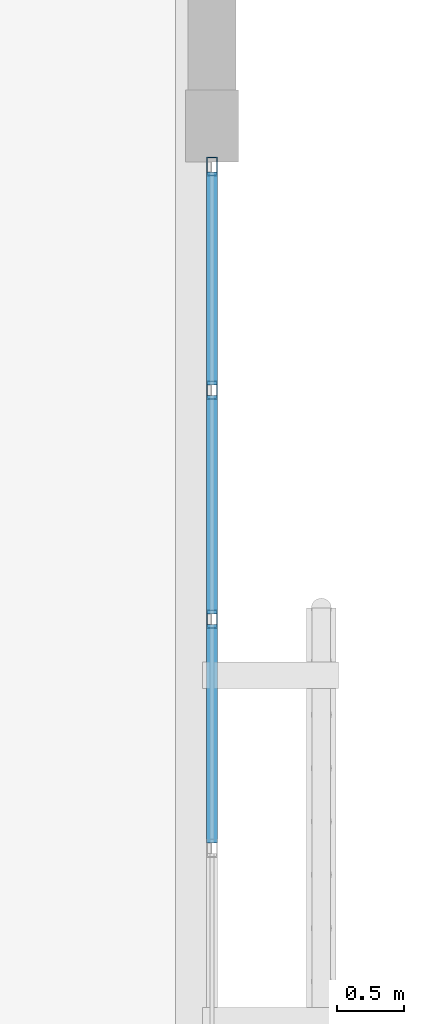
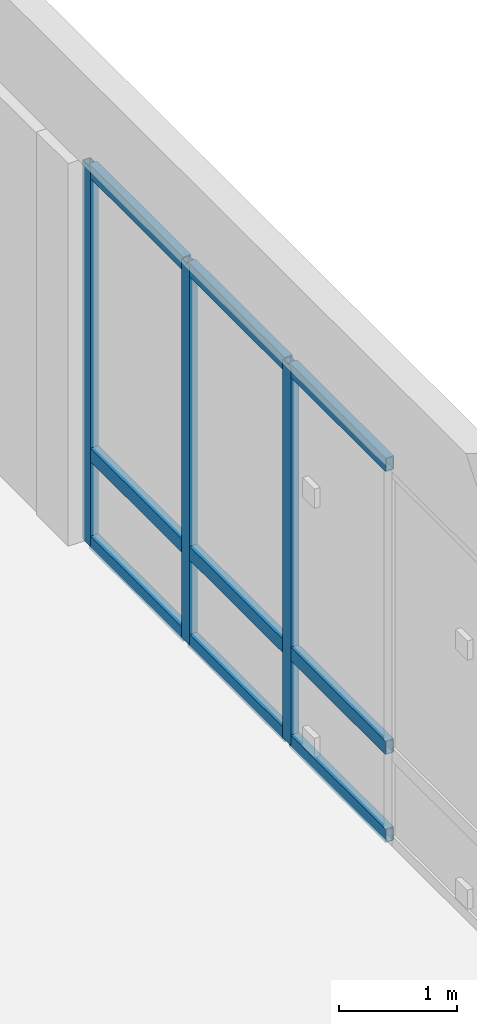
# One storey, part 49 of 112: 12 members, 1 element without a shape of its own.
"""IFC4 building model written with IfcOpenShell, lengths in metres."""

from ifc_helpers import new_model, si_unit, direction, frame, origin, origin_2d, place, context, subcontext, project, spatial, hollow_rectangle, extrude, material, layer, layer_set, material_profile, profile_set, type_object, element, aggregate, save


model = new_model("IFC4")

# Units and contexts
model_context = context("Model", 3, precision=1e-05, world=origin(), true_north=direction((0.0, 1.0)))
body_context = subcontext(model_context, "Body", "Model", "MODEL_VIEW")
ifc_project = project(units=[si_unit("LENGTHUNIT", "METRE"), si_unit("AREAUNIT", "SQUARE_METRE"), si_unit("VOLUMEUNIT", "CUBIC_METRE"), si_unit("PLANEANGLEUNIT", "RADIAN"), si_unit("MASSUNIT", "GRAM", prefix="KILO")], contexts=[model_context])

# Site, building, storey
site_placement = place(None, origin())
site = spatial("IfcSite", under=ifc_project, at=site_placement, CompositionType="ELEMENT")
building_placement = place(site_placement, origin())
building = spatial("IfcBuilding", under=site, at=building_placement, Name="Mazaris Harbour Polytechnic", CompositionType="ELEMENT")
storey_placement = place(building_placement, frame((0.0, 0.0, 13.800048828125)))
storey = spatial("IfcBuildingStorey", under=building, at=storey_placement, Name="L03", CompositionType="ELEMENT", Elevation=13.800048828125)

# Curtain wall, members
ifc_material_1 = material(Name="Anodised Bronze Aluminium and Low-E Glass", Category="aluminium")
ifc_layer = layer(ifc_material_1, 0.159912109375, Name="Anodised Bronze Aluminium and Low-E Glass")
ifc_layer_set = layer_set([ifc_layer], Name="Anodised Bronze Aluminium and Low-E Glass")
curtain_wall_type = type_object("IfcCurtainWallType", Name="Cloister Court Curtain Wall", PredefinedType="NOTDEFINED", material=ifc_layer_set)
curtain_wall_placement = place(storey_placement, origin())
curtain_wall = element("IfcCurtainWall", 1, at=curtain_wall_placement, inside=storey, type_object=curtain_wall_type, Name="V4 L03 Curtain Wall 149", PredefinedType="NOTDEFINED")
ifc_material_2 = material(Name="Anodised Bronze Steel S355", Category="steel")
ifc_material_profile_1 = material_profile(ifc_material_2, hollow_rectangle(XDim=0.080078125, YDim=0.139892578125, WallThickness=0.00634765625, at=origin_2d()), Name="RHS 80x140x6.3")
ifc_profile_set_1 = profile_set([ifc_material_profile_1], Name="Anodised Bronze Steel S355")
member_type_1 = type_object("IfcMemberType", Name="Curtain Mullion RHS80x140", PredefinedType="MULLION", material=ifc_profile_set_1)
member_1_placement = place(storey_placement, frame((43.199951171875, 93.298095703125, 0.0), z_axis=(0.0, 0.0, 1.0), x_axis=(1.0, 0.0, 0.0)))
member_1 = element("IfcMember", 2, at=member_1_placement, type_object=member_type_1, Name="CW-02 mullion 1", PredefinedType="MULLION", context=body_context, shape_type="SweptSolid", body=[
    extrude(hollow_rectangle(XDim=0.080078125, YDim=0.139892578125, WallThickness=0.00634765625, at=origin_2d()), origin(), (0.0, 0.0, 1.0), 3.919921875),
])
member_2_placement = place(storey_placement, frame((43.199951171875, 91.620361328125, 0.0), z_axis=(0.0, 0.0, 1.0), x_axis=(1.0, 0.0, 0.0)))
member_2 = element("IfcMember", 3, at=member_2_placement, type_object=member_type_1, Name="CW-02 mullion 2", PredefinedType="MULLION", context=body_context, shape_type="SweptSolid", body=[
    extrude(hollow_rectangle(XDim=0.080078125, YDim=0.139892578125, WallThickness=0.00634765625, at=origin_2d()), origin(), (0.0, 0.0, 1.0), 3.919921875),
])
member_3_placement = place(storey_placement, frame((43.199951171875, 89.902587890625, 0.0), z_axis=(0.0, 0.0, 1.0), x_axis=(1.0, 0.0, 0.0)))
member_3 = element("IfcMember", 4, at=member_3_placement, type_object=member_type_1, Name="CW-02 mullion 3", PredefinedType="MULLION", context=body_context, shape_type="SweptSolid", body=[
    extrude(hollow_rectangle(XDim=0.080078125, YDim=0.139892578125, WallThickness=0.00634765625, at=origin_2d()), origin(), (0.0, 0.0, 1.0), 3.919921875),
])
ifc_material_3 = material(Name="Anodised Bronze Steel S355", Category="steel")
ifc_material_profile_2 = material_profile(ifc_material_3, hollow_rectangle(XDim=0.080078125, YDim=0.139892578125, WallThickness=0.00634765625, at=origin_2d()), Name="RHS 80x140x6.3")
ifc_profile_set_2 = profile_set([ifc_material_profile_2], Name="Anodised Bronze Steel S355")
member_type_2 = type_object("IfcMemberType", Name="Curtain Transom RHS80x140", PredefinedType="USERDEFINED", material=ifc_profile_set_2)
member_4_placement = place(storey_placement, frame((43.199951171875, 93.258056640625, 0.0400390625), z_axis=(0.0, -1.0, 0.0), x_axis=(1.0, 0.0, 0.0)))
member_4 = element("IfcMember", 5, at=member_4_placement, type_object=member_type_2, Name="CW-02 transom 1.1", ObjectType="TRANSOM", PredefinedType="USERDEFINED", context=body_context, shape_type="SweptSolid", body=[
    extrude(hollow_rectangle(XDim=0.080078125, YDim=0.139892578125, WallThickness=0.00634765625, at=origin_2d()), origin(), (0.0, 0.0, 1.0), 1.59765625),
])
member_5_placement = place(storey_placement, frame((43.199951171875, 93.258056640625, 0.949951171875), z_axis=(0.0, -1.0, 0.0), x_axis=(1.0, 0.0, 0.0)))
member_5 = element("IfcMember", 6, at=member_5_placement, type_object=member_type_2, Name="CW-02 transom 1.2", ObjectType="TRANSOM", PredefinedType="USERDEFINED", context=body_context, shape_type="SweptSolid", body=[
    extrude(hollow_rectangle(XDim=0.080078125, YDim=0.139892578125, WallThickness=0.00634765625, at=origin_2d()), origin(), (0.0, 0.0, 1.0), 1.59765625),
])
member_6_placement = place(storey_placement, frame((43.199951171875, 93.258056640625, 3.8798828125), z_axis=(0.0, -1.0, 0.0), x_axis=(1.0, 0.0, 0.0)))
member_6 = element("IfcMember", 7, at=member_6_placement, type_object=member_type_2, Name="CW-02 transom 1.3", ObjectType="TRANSOM", PredefinedType="USERDEFINED", context=body_context, shape_type="SweptSolid", body=[
    extrude(hollow_rectangle(XDim=0.080078125, YDim=0.139892578125, WallThickness=0.00634765625, at=origin_2d()), origin(), (0.0, 0.0, 1.0), 1.59765625),
])
member_7_placement = place(storey_placement, frame((43.199951171875, 91.580322265625, 0.0400390625), z_axis=(0.0, -1.0, 0.0), x_axis=(1.0, 0.0, 0.0)))
member_7 = element("IfcMember", 8, at=member_7_placement, type_object=member_type_2, Name="CW-02 transom 2.1", ObjectType="TRANSOM", PredefinedType="USERDEFINED", context=body_context, shape_type="SweptSolid", body=[
    extrude(hollow_rectangle(XDim=0.080078125, YDim=0.139892578125, WallThickness=0.00634765625, at=origin_2d()), origin(), (0.0, 0.0, 1.0), 1.6376953125),
])
member_8_placement = place(storey_placement, frame((43.199951171875, 91.580322265625, 0.949951171875), z_axis=(0.0, -1.0, 0.0), x_axis=(1.0, 0.0, 0.0)))
member_8 = element("IfcMember", 9, at=member_8_placement, type_object=member_type_2, Name="CW-02 transom 2.2", ObjectType="TRANSOM", PredefinedType="USERDEFINED", context=body_context, shape_type="SweptSolid", body=[
    extrude(hollow_rectangle(XDim=0.080078125, YDim=0.139892578125, WallThickness=0.00634765625, at=origin_2d()), origin(), (0.0, 0.0, 1.0), 1.6376953125),
])
member_9_placement = place(storey_placement, frame((43.199951171875, 91.580322265625, 3.8798828125), z_axis=(0.0, -1.0, 0.0), x_axis=(1.0, 0.0, 0.0)))
member_9 = element("IfcMember", 10, at=member_9_placement, type_object=member_type_2, Name="CW-02 transom 2.3", ObjectType="TRANSOM", PredefinedType="USERDEFINED", context=body_context, shape_type="SweptSolid", body=[
    extrude(hollow_rectangle(XDim=0.080078125, YDim=0.139892578125, WallThickness=0.00634765625, at=origin_2d()), origin(), (0.0, 0.0, 1.0), 1.6376953125),
])
member_10_placement = place(storey_placement, frame((43.199951171875, 89.862548828125, 0.0400390625), z_axis=(0.0, -1.0, 0.0), x_axis=(1.0, 0.0, 0.0)))
member_10 = element("IfcMember", 11, at=member_10_placement, type_object=member_type_2, Name="CW-02 transom 3.1", ObjectType="TRANSOM", PredefinedType="USERDEFINED", context=body_context, shape_type="SweptSolid", body=[
    extrude(hollow_rectangle(XDim=0.080078125, YDim=0.139892578125, WallThickness=0.00634765625, at=origin_2d()), origin(), (0.0, 0.0, 1.0), 1.637451171875),
])
member_11_placement = place(storey_placement, frame((43.199951171875, 89.862548828125, 0.949951171875), z_axis=(0.0, -1.0, 0.0), x_axis=(1.0, 0.0, 0.0)))
member_11 = element("IfcMember", 12, at=member_11_placement, type_object=member_type_2, Name="CW-02 transom 3.2", ObjectType="TRANSOM", PredefinedType="USERDEFINED", context=body_context, shape_type="SweptSolid", body=[
    extrude(hollow_rectangle(XDim=0.080078125, YDim=0.139892578125, WallThickness=0.00634765625, at=origin_2d()), origin(), (0.0, 0.0, 1.0), 1.637451171875),
])
member_12_placement = place(storey_placement, frame((43.199951171875, 89.862548828125, 3.8798828125), z_axis=(0.0, -1.0, 0.0), x_axis=(1.0, 0.0, 0.0)))
member_12 = element("IfcMember", 13, at=member_12_placement, type_object=member_type_2, Name="CW-02 transom 3.3", ObjectType="TRANSOM", PredefinedType="USERDEFINED", context=body_context, shape_type="SweptSolid", body=[
    extrude(hollow_rectangle(XDim=0.080078125, YDim=0.139892578125, WallThickness=0.00634765625, at=origin_2d()), origin(), (0.0, 0.0, 1.0), 1.637451171875),
])
aggregate(curtain_wall, [member_1, member_2, member_3, member_4, member_5, member_6, member_7, member_8, member_9, member_10, member_11, member_12])

save(model, "model.ifc")
